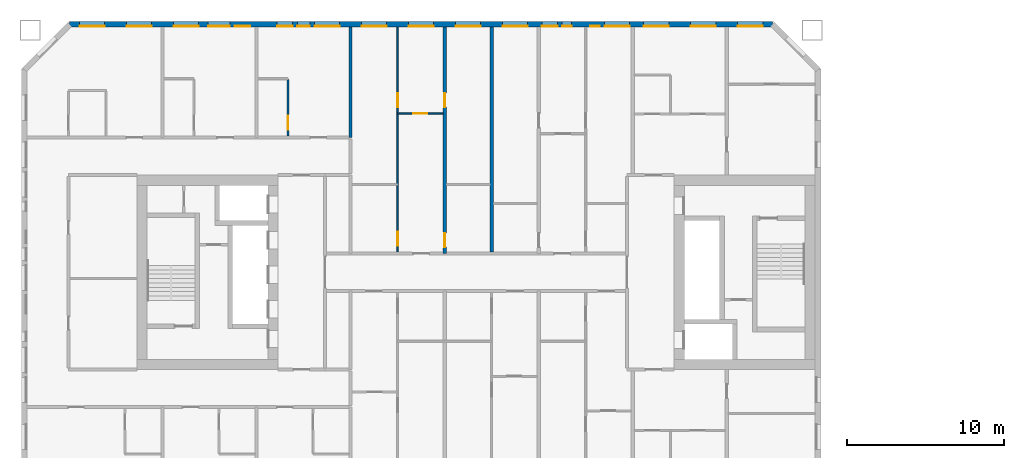
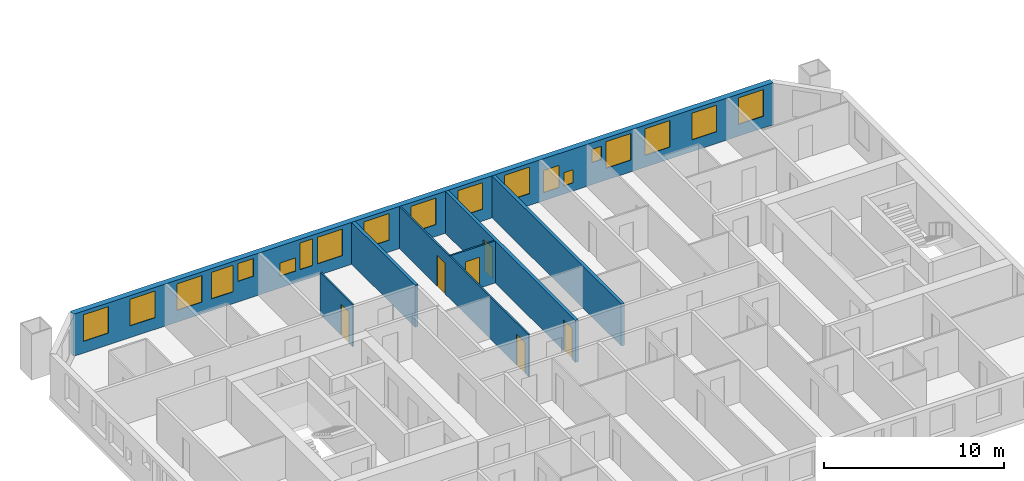
# One storey, part 6 of 17: 19 windows, 7 walls, 6 doors, 25 openings.
"""IFC4 building model written with IfcOpenShell, lengths in metres."""

from ifc_helpers import new_model, si_unit, direction, frame, frame_2d, origin, place, context, subcontext, project, spatial, rectangle, extrude, material, layer, layer_set, type_object, element, fill, save


model = new_model("IFC4")

# Units and contexts
model_context = context("Model", 3, precision=1e-05, world=origin(), true_north=direction((0.0, 1.0)))
body_context = subcontext(model_context, "Body", "Model", "MODEL_VIEW")
ifc_project = project(units=[si_unit("LENGTHUNIT", "METRE"), si_unit("AREAUNIT", "SQUARE_METRE"), si_unit("VOLUMEUNIT", "CUBIC_METRE"), si_unit("PLANEANGLEUNIT", "RADIAN"), si_unit("MASSUNIT", "GRAM", prefix="KILO")], contexts=[model_context])

# Site, building, storey
site_placement = place(None, origin())
site = spatial("IfcSite", under=ifc_project, at=site_placement, CompositionType="ELEMENT")
building_placement = place(site_placement, origin())
building = spatial("IfcBuilding", under=site, at=building_placement, Name="Tuart Gate Housing", CompositionType="ELEMENT")
storey_placement = place(building_placement, frame((0.0, 0.0, 105.699951171875)))
storey = spatial("IfcBuildingStorey", under=building, at=storey_placement, Name="L29", CompositionType="ELEMENT", Elevation=105.699951171875)

# Wall, openings, windows
ifc_material_1 = material(Name="Brick", Category="masonry")
ifc_layer_1 = layer(ifc_material_1, 0.360107421875)
ifc_layer_set_1 = layer_set([ifc_layer_1], Name="Brick pier and spandrel wall 360")
wall_type_1 = type_object("IfcWallType", Name="Brick pier and spandrel wall 360", PredefinedType="STANDARD", material=ifc_layer_set_1)
wall_1_placement = place(storey_placement, frame((72.92529296875, 85.820068359375, 0.0), z_axis=(0.0, 0.0, 1.0), x_axis=(-1.0, 0.0, 0.0)))
wall_1 = element("IfcWall", 1, at=wall_1_placement, inside=storey, type_object=wall_type_1, Name="External wall A-N L29", PredefinedType="STANDARD", context=body_context, shape_type="SweptSolid", body=[
    extrude(rectangle(XDim=44.850830078125, YDim=0.360107421875, at=frame_2d((22.42529296875, 0.0))), origin(), (0.0, 0.0, 1.0), 2.85009765625),
])
opening_1_placement = place(wall_1_placement, frame((0.62548828125, 0.0, 0.800048828125)))
opening_1 = element("IfcOpeningElement", 2, at=opening_1_placement, cuts=wall_1, Name="Opening W1", PredefinedType="OPENING", context=body_context, shape_type="SweptSolid", body=[
    extrude(rectangle(XDim=1.60009765625, YDim=1.800048828125, at=frame_2d((0.800048828125, 0.89990234375))), frame((0.0, 0.18994140625, 0.0), z_axis=(0.0, -1.0, 0.0), x_axis=(1.0, 0.0, 0.0)), (0.0, 0.0, 1.0), 0.380126953125),
])
opening_2_placement = place(wall_1_placement, frame((3.62548828125, 0.0, 0.800048828125)))
opening_2 = element("IfcOpeningElement", 3, at=opening_2_placement, cuts=wall_1, Name="Opening W1", PredefinedType="OPENING", context=body_context, shape_type="SweptSolid", body=[
    extrude(rectangle(XDim=1.60009765625, YDim=1.800048828125, at=frame_2d((0.800048828125, 0.89990234375))), frame((0.0, 0.18994140625, 0.0), z_axis=(0.0, -1.0, 0.0), x_axis=(1.0, 0.0, 0.0)), (0.0, 0.0, 1.0), 0.380126953125),
])
opening_3_placement = place(wall_1_placement, frame((6.62548828125, 0.0, 0.800048828125)))
opening_3 = element("IfcOpeningElement", 4, at=opening_3_placement, cuts=wall_1, Name="Opening W1", PredefinedType="OPENING", context=body_context, shape_type="SweptSolid", body=[
    extrude(rectangle(XDim=1.60009765625, YDim=1.800048828125, at=frame_2d((0.800048828125, 0.89990234375))), frame((0.0, 0.18994140625, 0.0), z_axis=(0.0, -1.0, 0.0), x_axis=(1.0, 0.0, 0.0)), (0.0, 0.0, 1.0), 0.380126953125),
])
opening_4_placement = place(wall_1_placement, frame((9.12548828125, 0.0, 0.800048828125)))
opening_4 = element("IfcOpeningElement", 5, at=opening_4_placement, cuts=wall_1, Name="Opening W1", PredefinedType="OPENING", context=body_context, shape_type="SweptSolid", body=[
    extrude(rectangle(XDim=1.60009765625, YDim=1.800048828125, at=frame_2d((0.800048828125, 0.89990234375))), frame((0.0, 0.18994140625, 0.0), z_axis=(0.0, -1.0, 0.0), x_axis=(1.0, 0.0, 0.0)), (0.0, 0.0, 1.0), 0.380126953125),
])
opening_5_placement = place(wall_1_placement, frame((12.825439453125, 0.0, 0.550048828125)))
opening_5 = element("IfcOpeningElement", 6, at=opening_5_placement, cuts=wall_1, Name="Opening W1W", PredefinedType="OPENING", context=body_context, shape_type="SweptSolid", body=[
    extrude(rectangle(XDim=0.60009765625, YDim=0.89990234375, at=frame_2d((0.300048828125, 0.449951171875))), frame((0.0, 0.18994140625, 0.0), z_axis=(0.0, -1.0, 0.0), x_axis=(1.0, 0.0, 0.0)), (0.0, 0.0, 1.0), 0.380126953125),
])
opening_6_placement = place(wall_1_placement, frame((15.62548828125, 0.0, 0.800048828125)))
opening_6 = element("IfcOpeningElement", 7, at=opening_6_placement, cuts=wall_1, Name="Opening W1", PredefinedType="OPENING", context=body_context, shape_type="SweptSolid", body=[
    extrude(rectangle(XDim=1.60009765625, YDim=1.800048828125, at=frame_2d((0.800048828125, 0.89990234375))), frame((0.0, 0.18994140625, 0.0), z_axis=(0.0, -1.0, 0.0), x_axis=(1.0, 0.0, 0.0)), (0.0, 0.0, 1.0), 0.380126953125),
])
opening_7_placement = place(wall_1_placement, frame((18.62548828125, 0.0, 0.800048828125)))
opening_7 = element("IfcOpeningElement", 8, at=opening_7_placement, cuts=wall_1, Name="Opening W1", PredefinedType="OPENING", context=body_context, shape_type="SweptSolid", body=[
    extrude(rectangle(XDim=1.60009765625, YDim=1.800048828125, at=frame_2d((0.800048828125, 0.89990234375))), frame((0.0, 0.18994140625, 0.0), z_axis=(0.0, -1.0, 0.0), x_axis=(1.0, 0.0, 0.0)), (0.0, 0.0, 1.0), 0.380126953125),
])
opening_8_placement = place(wall_1_placement, frame((21.62548828125, 0.0, 0.800048828125)))
opening_8 = element("IfcOpeningElement", 9, at=opening_8_placement, cuts=wall_1, Name="Opening W1", PredefinedType="OPENING", context=body_context, shape_type="SweptSolid", body=[
    extrude(rectangle(XDim=1.60009765625, YDim=1.800048828125, at=frame_2d((0.800048828125, 0.89990234375))), frame((0.0, 0.18994140625, 0.0), z_axis=(0.0, -1.0, 0.0), x_axis=(1.0, 0.0, 0.0)), (0.0, 0.0, 1.0), 0.380126953125),
])
opening_9_placement = place(wall_1_placement, frame((24.62548828125, 0.0, 0.800048828125)))
opening_9 = element("IfcOpeningElement", 10, at=opening_9_placement, cuts=wall_1, Name="Opening W1", PredefinedType="OPENING", context=body_context, shape_type="SweptSolid", body=[
    extrude(rectangle(XDim=1.60009765625, YDim=1.800048828125, at=frame_2d((0.800048828125, 0.89990234375))), frame((0.0, 0.18994140625, 0.0), z_axis=(0.0, -1.0, 0.0), x_axis=(1.0, 0.0, 0.0)), (0.0, 0.0, 1.0), 0.380126953125),
])
opening_10_placement = place(wall_1_placement, frame((27.62548828125, 0.0, 0.800048828125)))
opening_10 = element("IfcOpeningElement", 11, at=opening_10_placement, cuts=wall_1, Name="Opening W1", PredefinedType="OPENING", context=body_context, shape_type="SweptSolid", body=[
    extrude(rectangle(XDim=1.60009765625, YDim=1.800048828125, at=frame_2d((0.800048828125, 0.89990234375))), frame((0.0, 0.18994140625, 0.0), z_axis=(0.0, -1.0, 0.0), x_axis=(1.0, 0.0, 0.0)), (0.0, 0.0, 1.0), 0.380126953125),
])
opening_11_placement = place(wall_1_placement, frame((29.525390625, 0.0, 0.800048828125)))
opening_11 = element("IfcOpeningElement", 12, at=opening_11_placement, cuts=wall_1, Name="Opening W1D", PredefinedType="OPENING", context=body_context, shape_type="SweptSolid", body=[
    extrude(rectangle(XDim=0.800048828125, YDim=1.800048828125, at=frame_2d((0.39990234375, 0.89990234375))), frame((0.0, 0.18994140625, 0.0), z_axis=(0.0, -1.0, 0.0), x_axis=(1.0, 0.0, 0.0)), (0.0, 0.0, 1.0), 0.380126953125),
])
opening_12_placement = place(wall_1_placement, frame((33.325439453125, 0.0, 1.39990234375)))
opening_12 = element("IfcOpeningElement", 13, at=opening_12_placement, cuts=wall_1, Name="Opening W1O", PredefinedType="OPENING", context=body_context, shape_type="SweptSolid", body=[
    extrude(rectangle(XDim=1.0, YDim=1.199951171875, at=frame_2d((0.5, 0.60009765625))), frame((0.0, 0.18994140625, 0.0), z_axis=(0.0, -1.0, 0.0), x_axis=(1.0, 0.0, 0.0)), (0.0, 0.0, 1.0), 0.380126953125),
])
opening_13_placement = place(wall_1_placement, frame((36.62548828125, 0.0, 0.800048828125)))
opening_13 = element("IfcOpeningElement", 14, at=opening_13_placement, cuts=wall_1, Name="Opening W1", PredefinedType="OPENING", context=body_context, shape_type="SweptSolid", body=[
    extrude(rectangle(XDim=1.60009765625, YDim=1.800048828125, at=frame_2d((0.800048828125, 0.89990234375))), frame((0.0, 0.18994140625, 0.0), z_axis=(0.0, -1.0, 0.0), x_axis=(1.0, 0.0, 0.0)), (0.0, 0.0, 1.0), 0.380126953125),
])
opening_14_placement = place(wall_1_placement, frame((39.62548828125, 0.0, 0.800048828125)))
opening_14 = element("IfcOpeningElement", 15, at=opening_14_placement, cuts=wall_1, Name="Opening W1", PredefinedType="OPENING", context=body_context, shape_type="SweptSolid", body=[
    extrude(rectangle(XDim=1.60009765625, YDim=1.800048828125, at=frame_2d((0.800048828125, 0.89990234375))), frame((0.0, 0.18994140625, 0.0), z_axis=(0.0, -1.0, 0.0), x_axis=(1.0, 0.0, 0.0)), (0.0, 0.0, 1.0), 0.380126953125),
])
opening_15_placement = place(wall_1_placement, frame((42.62548828125, 0.0, 0.800048828125)))
opening_15 = element("IfcOpeningElement", 16, at=opening_15_placement, cuts=wall_1, Name="Opening W1", PredefinedType="OPENING", context=body_context, shape_type="SweptSolid", body=[
    extrude(rectangle(XDim=1.60009765625, YDim=1.800048828125, at=frame_2d((0.800048828125, 0.89990234375))), frame((0.0, 0.18994140625, 0.0), z_axis=(0.0, -1.0, 0.0), x_axis=(1.0, 0.0, 0.0)), (0.0, 0.0, 1.0), 0.380126953125),
])
opening_16_placement = place(wall_1_placement, frame((11.025390625, 0.0, 1.5)))
opening_16 = element("IfcOpeningElement", 17, at=opening_16_placement, cuts=wall_1, Name="Opening W1W", PredefinedType="OPENING", context=body_context, shape_type="SweptSolid", body=[
    extrude(rectangle(XDim=0.60009765625, YDim=0.89990234375, at=frame_2d((0.300048828125, 0.449951171875))), frame((0.0, 0.18994140625, 0.0), z_axis=(0.0, -1.0, 0.0), x_axis=(1.0, 0.0, 0.0)), (0.0, 0.0, 1.0), 0.380126953125),
])
opening_17_placement = place(wall_1_placement, frame((13.725341796875, 0.0, 0.550048828125)))
opening_17 = element("IfcOpeningElement", 18, at=opening_17_placement, cuts=wall_1, Name="Opening W1I", PredefinedType="OPENING", context=body_context, shape_type="SweptSolid", body=[
    extrude(rectangle(XDim=1.0, YDim=1.5, at=frame_2d((0.5, 0.75))), frame((0.0, 0.18994140625, 0.0), z_axis=(0.0, -1.0, 0.0), x_axis=(1.0, 0.0, 0.0)), (0.0, 0.0, 1.0), 0.380126953125),
])
opening_18_placement = place(wall_1_placement, frame((30.62548828125, 0.0, 0.800048828125)))
opening_18 = element("IfcOpeningElement", 19, at=opening_18_placement, cuts=wall_1, Name="Opening W1U", PredefinedType="OPENING", context=body_context, shape_type="SweptSolid", body=[
    extrude(rectangle(XDim=1.0, YDim=0.89990234375, at=frame_2d((0.5, 0.449951171875))), frame((0.0, 0.18994140625, 0.0), z_axis=(0.0, -1.0, 0.0), x_axis=(1.0, 0.0, 0.0)), (0.0, 0.0, 1.0), 0.380126953125),
])
opening_19_placement = place(wall_1_placement, frame((34.62548828125, 0.0, 0.800048828125)))
opening_19 = element("IfcOpeningElement", 20, at=opening_19_placement, cuts=wall_1, Name="Opening W1A", PredefinedType="OPENING", context=body_context, shape_type="SweptSolid", body=[
    extrude(rectangle(XDim=1.39990234375, YDim=1.800048828125, at=frame_2d((0.699951171875, 0.89990234375))), frame((0.0, 0.18994140625, 0.0), z_axis=(0.0, -1.0, 0.0), x_axis=(1.0, 0.0, 0.0)), (0.0, 0.0, 1.0), 0.380126953125),
])
ifc_material_2 = material(Name="Aluminium frame with clear glass", Category="aluminium")
window_type_1 = type_object("IfcWindowType", Name="Punched window 1000 x 1200", PartitioningType="SINGLE_PANEL", PredefinedType="WINDOW", material=ifc_material_2)
window_1_placement = place(opening_12_placement, origin())
window_1 = element("IfcWindow", 21, at=window_1_placement, inside=storey, type_object=window_type_1, Name="Window W1O", OverallHeight=1.199951171875, OverallWidth=1.0, PartitioningType="SINGLE_PANEL", PredefinedType="WINDOW", context=body_context, shape_type="SweptSolid", body=[
    extrude(rectangle(XDim=1.0, YDim=1.199951171875, at=frame_2d((0.5, 0.60009765625))), frame((0.0, 0.150146484375, 0.0), z_axis=(0.0, -1.0, 0.0), x_axis=(1.0, 0.0, 0.0)), (0.0, 0.0, 1.0), 0.06005859375),
])
fill(opening_12, window_1)
ifc_material_3 = material(Name="Aluminium frame with clear glass", Category="aluminium")
window_type_2 = type_object("IfcWindowType", Name="Punched window 1000 x 1500", PartitioningType="SINGLE_PANEL", PredefinedType="WINDOW", material=ifc_material_3)
window_2_placement = place(opening_17_placement, origin())
window_2 = element("IfcWindow", 22, at=window_2_placement, inside=storey, type_object=window_type_2, Name="Window W1I", OverallHeight=1.5, OverallWidth=1.0, PartitioningType="SINGLE_PANEL", PredefinedType="WINDOW", context=body_context, shape_type="SweptSolid", body=[
    extrude(rectangle(XDim=1.0, YDim=1.5, at=frame_2d((0.5, 0.75))), frame((0.0, 0.150146484375, 0.0), z_axis=(0.0, -1.0, 0.0), x_axis=(1.0, 0.0, 0.0)), (0.0, 0.0, 1.0), 0.06005859375),
])
fill(opening_17, window_2)
ifc_material_4 = material(Name="Aluminium frame with clear glass", Category="aluminium")
window_type_3 = type_object("IfcWindowType", Name="Punched window 1000 x 900", PartitioningType="SINGLE_PANEL", PredefinedType="WINDOW", material=ifc_material_4)
window_3_placement = place(opening_18_placement, origin())
window_3 = element("IfcWindow", 23, at=window_3_placement, inside=storey, type_object=window_type_3, Name="Window W1U", OverallHeight=0.89990234375, OverallWidth=1.0, PartitioningType="SINGLE_PANEL", PredefinedType="WINDOW", context=body_context, shape_type="SweptSolid", body=[
    extrude(rectangle(XDim=1.0, YDim=0.89990234375, at=frame_2d((0.5, 0.449951171875))), frame((0.0, 0.150146484375, 0.0), z_axis=(0.0, -1.0, 0.0), x_axis=(1.0, 0.0, 0.0)), (0.0, 0.0, 1.0), 0.06005859375),
])
fill(opening_18, window_3)
ifc_material_5 = material(Name="Aluminium frame with clear glass", Category="aluminium")
window_type_4 = type_object("IfcWindowType", Name="Punched window 1400 x 1800", PartitioningType="SINGLE_PANEL", PredefinedType="WINDOW", material=ifc_material_5)
window_4_placement = place(opening_19_placement, origin())
window_4 = element("IfcWindow", 24, at=window_4_placement, inside=storey, type_object=window_type_4, Name="Window W1A", OverallHeight=1.800048828125, OverallWidth=1.39990234375, PartitioningType="SINGLE_PANEL", PredefinedType="WINDOW", context=body_context, shape_type="SweptSolid", body=[
    extrude(rectangle(XDim=1.39990234375, YDim=1.800048828125, at=frame_2d((0.699951171875, 0.89990234375))), frame((0.0, 0.150146484375, 0.0), z_axis=(0.0, -1.0, 0.0), x_axis=(1.0, 0.0, 0.0)), (0.0, 0.0, 1.0), 0.06005859375),
])
fill(opening_19, window_4)
ifc_material_6 = material(Name="Aluminium frame with clear glass", Category="aluminium")
window_type_5 = type_object("IfcWindowType", Name="Punched window 1600 x 1800", PartitioningType="SINGLE_PANEL", PredefinedType="WINDOW", material=ifc_material_6)
window_5_placement = place(opening_1_placement, origin())
window_5 = element("IfcWindow", 25, at=window_5_placement, inside=storey, type_object=window_type_5, Name="Window W1", OverallHeight=1.800048828125, OverallWidth=1.60009765625, PartitioningType="SINGLE_PANEL", PredefinedType="WINDOW", context=body_context, shape_type="SweptSolid", body=[
    extrude(rectangle(XDim=1.60009765625, YDim=1.800048828125, at=frame_2d((0.800048828125, 0.89990234375))), frame((0.0, 0.150146484375, 0.0), z_axis=(0.0, -1.0, 0.0), x_axis=(1.0, 0.0, 0.0)), (0.0, 0.0, 1.0), 0.06005859375),
])
fill(opening_1, window_5)
window_6_placement = place(opening_2_placement, origin())
window_6 = element("IfcWindow", 26, at=window_6_placement, inside=storey, type_object=window_type_5, Name="Window W1", OverallHeight=1.800048828125, OverallWidth=1.60009765625, PartitioningType="SINGLE_PANEL", PredefinedType="WINDOW", context=body_context, shape_type="SweptSolid", body=[
    extrude(rectangle(XDim=1.60009765625, YDim=1.800048828125, at=frame_2d((0.800048828125, 0.89990234375))), frame((0.0, 0.150146484375, 0.0), z_axis=(0.0, -1.0, 0.0), x_axis=(1.0, 0.0, 0.0)), (0.0, 0.0, 1.0), 0.06005859375),
])
fill(opening_2, window_6)
window_7_placement = place(opening_3_placement, origin())
window_7 = element("IfcWindow", 27, at=window_7_placement, inside=storey, type_object=window_type_5, Name="Window W1", OverallHeight=1.800048828125, OverallWidth=1.60009765625, PartitioningType="SINGLE_PANEL", PredefinedType="WINDOW", context=body_context, shape_type="SweptSolid", body=[
    extrude(rectangle(XDim=1.60009765625, YDim=1.800048828125, at=frame_2d((0.800048828125, 0.89990234375))), frame((0.0, 0.150146484375, 0.0), z_axis=(0.0, -1.0, 0.0), x_axis=(1.0, 0.0, 0.0)), (0.0, 0.0, 1.0), 0.06005859375),
])
fill(opening_3, window_7)
window_8_placement = place(opening_4_placement, origin())
window_8 = element("IfcWindow", 28, at=window_8_placement, inside=storey, type_object=window_type_5, Name="Window W1", OverallHeight=1.800048828125, OverallWidth=1.60009765625, PartitioningType="SINGLE_PANEL", PredefinedType="WINDOW", context=body_context, shape_type="SweptSolid", body=[
    extrude(rectangle(XDim=1.60009765625, YDim=1.800048828125, at=frame_2d((0.800048828125, 0.89990234375))), frame((0.0, 0.150146484375, 0.0), z_axis=(0.0, -1.0, 0.0), x_axis=(1.0, 0.0, 0.0)), (0.0, 0.0, 1.0), 0.06005859375),
])
fill(opening_4, window_8)
window_9_placement = place(opening_6_placement, origin())
window_9 = element("IfcWindow", 29, at=window_9_placement, inside=storey, type_object=window_type_5, Name="Window W1", OverallHeight=1.800048828125, OverallWidth=1.60009765625, PartitioningType="SINGLE_PANEL", PredefinedType="WINDOW", context=body_context, shape_type="SweptSolid", body=[
    extrude(rectangle(XDim=1.60009765625, YDim=1.800048828125, at=frame_2d((0.800048828125, 0.89990234375))), frame((0.0, 0.150146484375, 0.0), z_axis=(0.0, -1.0, 0.0), x_axis=(1.0, 0.0, 0.0)), (0.0, 0.0, 1.0), 0.06005859375),
])
fill(opening_6, window_9)
window_10_placement = place(opening_7_placement, origin())
window_10 = element("IfcWindow", 30, at=window_10_placement, inside=storey, type_object=window_type_5, Name="Window W1", OverallHeight=1.800048828125, OverallWidth=1.60009765625, PartitioningType="SINGLE_PANEL", PredefinedType="WINDOW", context=body_context, shape_type="SweptSolid", body=[
    extrude(rectangle(XDim=1.60009765625, YDim=1.800048828125, at=frame_2d((0.800048828125, 0.89990234375))), frame((0.0, 0.150146484375, 0.0), z_axis=(0.0, -1.0, 0.0), x_axis=(1.0, 0.0, 0.0)), (0.0, 0.0, 1.0), 0.06005859375),
])
fill(opening_7, window_10)
window_11_placement = place(opening_8_placement, origin())
window_11 = element("IfcWindow", 31, at=window_11_placement, inside=storey, type_object=window_type_5, Name="Window W1", OverallHeight=1.800048828125, OverallWidth=1.60009765625, PartitioningType="SINGLE_PANEL", PredefinedType="WINDOW", context=body_context, shape_type="SweptSolid", body=[
    extrude(rectangle(XDim=1.60009765625, YDim=1.800048828125, at=frame_2d((0.800048828125, 0.89990234375))), frame((0.0, 0.150146484375, 0.0), z_axis=(0.0, -1.0, 0.0), x_axis=(1.0, 0.0, 0.0)), (0.0, 0.0, 1.0), 0.06005859375),
])
fill(opening_8, window_11)
window_12_placement = place(opening_9_placement, origin())
window_12 = element("IfcWindow", 32, at=window_12_placement, inside=storey, type_object=window_type_5, Name="Window W1", OverallHeight=1.800048828125, OverallWidth=1.60009765625, PartitioningType="SINGLE_PANEL", PredefinedType="WINDOW", context=body_context, shape_type="SweptSolid", body=[
    extrude(rectangle(XDim=1.60009765625, YDim=1.800048828125, at=frame_2d((0.800048828125, 0.89990234375))), frame((0.0, 0.150146484375, 0.0), z_axis=(0.0, -1.0, 0.0), x_axis=(1.0, 0.0, 0.0)), (0.0, 0.0, 1.0), 0.06005859375),
])
fill(opening_9, window_12)
window_13_placement = place(opening_10_placement, origin())
window_13 = element("IfcWindow", 33, at=window_13_placement, inside=storey, type_object=window_type_5, Name="Window W1", OverallHeight=1.800048828125, OverallWidth=1.60009765625, PartitioningType="SINGLE_PANEL", PredefinedType="WINDOW", context=body_context, shape_type="SweptSolid", body=[
    extrude(rectangle(XDim=1.60009765625, YDim=1.800048828125, at=frame_2d((0.800048828125, 0.89990234375))), frame((0.0, 0.150146484375, 0.0), z_axis=(0.0, -1.0, 0.0), x_axis=(1.0, 0.0, 0.0)), (0.0, 0.0, 1.0), 0.06005859375),
])
fill(opening_10, window_13)
window_14_placement = place(opening_13_placement, origin())
window_14 = element("IfcWindow", 34, at=window_14_placement, inside=storey, type_object=window_type_5, Name="Window W1", OverallHeight=1.800048828125, OverallWidth=1.60009765625, PartitioningType="SINGLE_PANEL", PredefinedType="WINDOW", context=body_context, shape_type="SweptSolid", body=[
    extrude(rectangle(XDim=1.60009765625, YDim=1.800048828125, at=frame_2d((0.800048828125, 0.89990234375))), frame((0.0, 0.150146484375, 0.0), z_axis=(0.0, -1.0, 0.0), x_axis=(1.0, 0.0, 0.0)), (0.0, 0.0, 1.0), 0.06005859375),
])
fill(opening_13, window_14)
window_15_placement = place(opening_14_placement, origin())
window_15 = element("IfcWindow", 35, at=window_15_placement, inside=storey, type_object=window_type_5, Name="Window W1", OverallHeight=1.800048828125, OverallWidth=1.60009765625, PartitioningType="SINGLE_PANEL", PredefinedType="WINDOW", context=body_context, shape_type="SweptSolid", body=[
    extrude(rectangle(XDim=1.60009765625, YDim=1.800048828125, at=frame_2d((0.800048828125, 0.89990234375))), frame((0.0, 0.150146484375, 0.0), z_axis=(0.0, -1.0, 0.0), x_axis=(1.0, 0.0, 0.0)), (0.0, 0.0, 1.0), 0.06005859375),
])
fill(opening_14, window_15)
window_16_placement = place(opening_15_placement, origin())
window_16 = element("IfcWindow", 36, at=window_16_placement, inside=storey, type_object=window_type_5, Name="Window W1", OverallHeight=1.800048828125, OverallWidth=1.60009765625, PartitioningType="SINGLE_PANEL", PredefinedType="WINDOW", context=body_context, shape_type="SweptSolid", body=[
    extrude(rectangle(XDim=1.60009765625, YDim=1.800048828125, at=frame_2d((0.800048828125, 0.89990234375))), frame((0.0, 0.150146484375, 0.0), z_axis=(0.0, -1.0, 0.0), x_axis=(1.0, 0.0, 0.0)), (0.0, 0.0, 1.0), 0.06005859375),
])
fill(opening_15, window_16)
ifc_material_7 = material(Name="Aluminium frame with clear glass", Category="aluminium")
window_type_6 = type_object("IfcWindowType", Name="Punched window 600 x 900", PartitioningType="SINGLE_PANEL", PredefinedType="WINDOW", material=ifc_material_7)
window_17_placement = place(opening_5_placement, origin())
window_17 = element("IfcWindow", 37, at=window_17_placement, inside=storey, type_object=window_type_6, Name="Window W1W", OverallHeight=0.89990234375, OverallWidth=0.60009765625, PartitioningType="SINGLE_PANEL", PredefinedType="WINDOW", context=body_context, shape_type="SweptSolid", body=[
    extrude(rectangle(XDim=0.60009765625, YDim=0.89990234375, at=frame_2d((0.300048828125, 0.449951171875))), frame((0.0, 0.150146484375, 0.0), z_axis=(0.0, -1.0, 0.0), x_axis=(1.0, 0.0, 0.0)), (0.0, 0.0, 1.0), 0.06005859375),
])
fill(opening_5, window_17)
window_18_placement = place(opening_16_placement, origin())
window_18 = element("IfcWindow", 38, at=window_18_placement, inside=storey, type_object=window_type_6, Name="Window W1W", OverallHeight=0.89990234375, OverallWidth=0.60009765625, PartitioningType="SINGLE_PANEL", PredefinedType="WINDOW", context=body_context, shape_type="SweptSolid", body=[
    extrude(rectangle(XDim=0.60009765625, YDim=0.89990234375, at=frame_2d((0.300048828125, 0.449951171875))), frame((0.0, 0.150146484375, 0.0), z_axis=(0.0, -1.0, 0.0), x_axis=(1.0, 0.0, 0.0)), (0.0, 0.0, 1.0), 0.06005859375),
])
fill(opening_16, window_18)
ifc_material_8 = material(Name="Aluminium frame with clear glass", Category="aluminium")
window_type_7 = type_object("IfcWindowType", Name="Punched window 800 x 1800", PartitioningType="SINGLE_PANEL", PredefinedType="WINDOW", material=ifc_material_8)
window_19_placement = place(opening_11_placement, origin())
window_19 = element("IfcWindow", 39, at=window_19_placement, inside=storey, type_object=window_type_7, Name="Window W1D", OverallHeight=1.800048828125, OverallWidth=0.800048828125, PartitioningType="SINGLE_PANEL", PredefinedType="WINDOW", context=body_context, shape_type="SweptSolid", body=[
    extrude(rectangle(XDim=0.800048828125, YDim=1.800048828125, at=frame_2d((0.39990234375, 0.89990234375))), frame((0.0, 0.150146484375, 0.0), z_axis=(0.0, -1.0, 0.0), x_axis=(1.0, 0.0, 0.0)), (0.0, 0.0, 1.0), 0.06005859375),
])
fill(opening_11, window_19)

# Wall, opening, door
ifc_material_9 = material(Name="Gypsum board on steel studs", Category="steel")
ifc_layer_2 = layer(ifc_material_9, 0.10009765625)
ifc_layer_set_2 = layer_set([ifc_layer_2], Name="Partition 100")
wall_type_2 = type_object("IfcWallType", Name="Partition 100", PredefinedType="PARTITIONING", material=ifc_layer_set_2)
wall_2_placement = place(storey_placement, frame((49.0, 80.139892578125, 0.0), z_axis=(0.0, 0.0, 1.0), x_axis=(1.0, 0.0, 0.0)))
wall_2 = element("IfcWall", 40, at=wall_2_placement, inside=storey, type_object=wall_type_2, Name="Partition 100", PredefinedType="PARTITIONING", context=body_context, shape_type="SweptSolid", body=[
    extrude(rectangle(XDim=2.89990234375, YDim=0.10009765625, at=frame_2d((1.449951171875, 0.0))), origin(), (0.0, 0.0, 1.0), 2.85009765625),
])
opening_20_placement = place(wall_2_placement, frame((1.0, 0.0, 0.0)))
opening_20 = element("IfcOpeningElement", 41, at=opening_20_placement, cuts=wall_2, Name="Opening D1182", PredefinedType="OPENING", context=body_context, shape_type="SweptSolid", body=[
    extrude(rectangle(XDim=0.89990234375, YDim=2.10009765625, at=frame_2d((0.449951171875, 1.050048828125))), frame((0.0, 0.06005859375, 0.0), z_axis=(0.0, -1.0, 0.0), x_axis=(1.0, 0.0, 0.0)), (0.0, 0.0, 1.0), 0.1201171875),
])
ifc_material_10 = material(Name="Timber door leaf in steel frame", Category="steel")
door_type_1 = type_object("IfcDoorType", Name="Internal door 900 RH", OperationType="SINGLE_SWING_RIGHT", PredefinedType="DOOR", material=ifc_material_10)
door_1_placement = place(opening_20_placement, frame((0.89990234375, 0.0, 0.0), z_axis=(0.0, 0.0, 1.0), x_axis=(-1.0, 0.0, 0.0)))
door_1 = element("IfcDoor", 42, at=door_1_placement, inside=storey, type_object=door_type_1, Name="Internal door", OperationType="SINGLE_SWING_RIGHT", OverallHeight=2.10009765625, OverallWidth=0.89990234375, PredefinedType="DOOR", context=body_context, shape_type="SweptSolid", body=[
    extrude(rectangle(XDim=0.89990234375, YDim=2.10009765625, at=frame_2d((0.449951171875, 1.050048828125))), frame((0.0, 0.025146484375, 0.0), z_axis=(0.0, -1.0, 0.0), x_axis=(1.0, 0.0, 0.0)), (0.0, 0.0, 1.0), 0.050048828125),
])
fill(opening_20, door_1)

wall_3_placement = place(storey_placement, frame((42.0, 78.699951171875, 0.0), z_axis=(0.0, 0.0, 1.0), x_axis=(0.0, 1.0, 0.0)))
wall_3 = element("IfcWall", 43, at=wall_3_placement, inside=storey, type_object=wall_type_2, Name="Partition 100", PredefinedType="PARTITIONING", context=body_context, shape_type="SweptSolid", body=[
    extrude(rectangle(XDim=3.60009765625, YDim=0.10009765625, at=frame_2d((1.800048828125, 0.0))), origin(), (0.0, 0.0, 1.0), 2.85009765625),
])
opening_21_placement = place(wall_3_placement, frame((0.39990234375, 0.0, 0.0)))
opening_21 = element("IfcOpeningElement", 44, at=opening_21_placement, cuts=wall_3, Name="Opening D1181", PredefinedType="OPENING", context=body_context, shape_type="SweptSolid", body=[
    extrude(rectangle(XDim=0.89990234375, YDim=2.10009765625, at=frame_2d((0.449951171875, 1.050048828125))), frame((0.0, 0.06005859375, 0.0), z_axis=(0.0, -1.0, 0.0), x_axis=(1.0, 0.0, 0.0)), (0.0, 0.0, 1.0), 0.1201171875),
])
ifc_material_11 = material(Name="Timber door leaf in steel frame", Category="steel")
door_type_2 = type_object("IfcDoorType", Name="Bathroom door 900", OperationType="SINGLE_SWING_LEFT", PredefinedType="DOOR", material=ifc_material_11)
door_2_placement = place(opening_21_placement, origin())
door_2 = element("IfcDoor", 45, at=door_2_placement, inside=storey, type_object=door_type_2, Name="Bathroom door", OperationType="SINGLE_SWING_LEFT", OverallHeight=2.10009765625, OverallWidth=0.89990234375, PredefinedType="DOOR", context=body_context, shape_type="SweptSolid", body=[
    extrude(rectangle(XDim=0.89990234375, YDim=2.10009765625, at=frame_2d((0.449951171875, 1.050048828125))), frame((0.0, 0.02490234375, 0.0), z_axis=(0.0, -1.0, 0.0), x_axis=(1.0, 0.0, 0.0)), (0.0, 0.0, 1.0), 0.050048828125),
])
fill(opening_21, door_2)

# Wall, openings, doors
wall_4_placement = place(storey_placement, frame((49.0, 71.300048828125, 0.0), z_axis=(0.0, 0.0, 1.0), x_axis=(0.0, 1.0, 0.0)))
wall_4 = element("IfcWall", 46, at=wall_4_placement, inside=storey, type_object=wall_type_2, Name="Partition 100", PredefinedType="PARTITIONING", context=body_context, shape_type="SweptSolid", body=[
    extrude(rectangle(XDim=14.33984375, YDim=0.10009765625, at=frame_2d((7.169921875, 0.0))), origin(), (0.0, 0.0, 1.0), 2.85009765625),
])
opening_22_placement = place(wall_4_placement, frame((9.239990234375, 0.0, 0.0)))
opening_22 = element("IfcOpeningElement", 47, at=opening_22_placement, cuts=wall_4, Name="Opening D1191", PredefinedType="OPENING", context=body_context, shape_type="SweptSolid", body=[
    extrude(rectangle(XDim=0.89990234375, YDim=2.10009765625, at=frame_2d((0.449951171875, 1.050048828125))), frame((0.0, 0.06005859375, 0.0), z_axis=(0.0, -1.0, 0.0), x_axis=(1.0, 0.0, 0.0)), (0.0, 0.0, 1.0), 0.1201171875),
])
opening_23_placement = place(wall_4_placement, frame((0.39990234375, 0.0, 0.0)))
opening_23 = element("IfcOpeningElement", 48, at=opening_23_placement, cuts=wall_4, Name="Opening D1190", PredefinedType="OPENING", context=body_context, shape_type="SweptSolid", body=[
    extrude(rectangle(XDim=0.89990234375, YDim=2.10009765625, at=frame_2d((0.449951171875, 1.050048828125))), frame((0.0, 0.06005859375, 0.0), z_axis=(0.0, -1.0, 0.0), x_axis=(1.0, 0.0, 0.0)), (0.0, 0.0, 1.0), 0.1201171875),
])
door_3_placement = place(opening_23_placement, origin())
door_3 = element("IfcDoor", 49, at=door_3_placement, inside=storey, type_object=door_type_2, Name="Bathroom door", OperationType="SINGLE_SWING_LEFT", OverallHeight=2.10009765625, OverallWidth=0.89990234375, PredefinedType="DOOR", context=body_context, shape_type="SweptSolid", body=[
    extrude(rectangle(XDim=0.89990234375, YDim=2.10009765625, at=frame_2d((0.449951171875, 1.050048828125))), frame((0.0, 0.02490234375, 0.0), z_axis=(0.0, -1.0, 0.0), x_axis=(1.0, 0.0, 0.0)), (0.0, 0.0, 1.0), 0.050048828125),
])
fill(opening_23, door_3)
door_4_placement = place(opening_22_placement, origin())
door_4 = element("IfcDoor", 50, at=door_4_placement, inside=storey, type_object=door_type_1, Name="Internal door", OperationType="SINGLE_SWING_RIGHT", OverallHeight=2.10009765625, OverallWidth=0.89990234375, PredefinedType="DOOR", context=body_context, shape_type="SweptSolid", body=[
    extrude(rectangle(XDim=0.89990234375, YDim=2.10009765625, at=frame_2d((0.449951171875, 1.050048828125))), frame((0.0, 0.02490234375, 0.0), z_axis=(0.0, -1.0, 0.0), x_axis=(1.0, 0.0, 0.0)), (0.0, 0.0, 1.0), 0.050048828125),
])
fill(opening_22, door_4)

# Wall
ifc_material_12 = material(Name="Concrete C40", Category="concrete")
ifc_layer_3 = layer(ifc_material_12, 0.199951171875)
ifc_layer_set_3 = layer_set([ifc_layer_3], Name="Party wall concrete C40 200")
wall_type_3 = type_object("IfcWallType", Name="Party wall concrete C40 200", PredefinedType="SOLIDWALL", material=ifc_layer_set_3)
wall_5_placement = place(storey_placement, frame((46.0, 78.60009765625, 0.0), z_axis=(0.0, 0.0, 1.0), x_axis=(0.0, 1.0, 0.0)))
element("IfcWall", 51, at=wall_5_placement, inside=storey, type_object=wall_type_3, Name="Party wall concrete C40 200", PredefinedType="SOLIDWALL", context=body_context, shape_type="SweptSolid", body=[
    extrude(rectangle(XDim=7.039794921875, YDim=0.199951171875, at=frame_2d((3.52001953125, 0.0))), origin(), (0.0, 0.0, 1.0), 2.85009765625),
])

# Wall, openings, doors
wall_6_placement = place(storey_placement, frame((52.0, 71.199951171875, 0.0), z_axis=(0.0, 0.0, 1.0), x_axis=(0.0, 1.0, 0.0)))
wall_6 = element("IfcWall", 52, at=wall_6_placement, inside=storey, type_object=wall_type_3, Name="Party wall concrete C40 200", PredefinedType="SOLIDWALL", context=body_context, shape_type="SweptSolid", body=[
    extrude(rectangle(XDim=14.43994140625, YDim=0.199951171875, at=frame_2d((7.219970703125, 0.0))), origin(), (0.0, 0.0, 1.0), 2.85009765625),
])
opening_24_placement = place(wall_6_placement, frame((9.340087890625, 0.0, 0.0)))
opening_24 = element("IfcOpeningElement", 53, at=opening_24_placement, cuts=wall_6, Name="Opening D1195", PredefinedType="OPENING", context=body_context, shape_type="SweptSolid", body=[
    extrude(rectangle(XDim=0.89990234375, YDim=2.10009765625, at=frame_2d((0.449951171875, 1.050048828125))), frame((0.0, 0.10986328125, 0.0), z_axis=(0.0, -1.0, 0.0), x_axis=(1.0, 0.0, 0.0)), (0.0, 0.0, 1.0), 0.219970703125),
])
opening_25_placement = place(wall_6_placement, frame((0.39990234375, 0.0, 0.0)))
opening_25 = element("IfcOpeningElement", 54, at=opening_25_placement, cuts=wall_6, Name="Opening D1194", PredefinedType="OPENING", context=body_context, shape_type="SweptSolid", body=[
    extrude(rectangle(XDim=0.89990234375, YDim=2.10009765625, at=frame_2d((0.449951171875, 1.050048828125))), frame((0.0, 0.10986328125, 0.0), z_axis=(0.0, -1.0, 0.0), x_axis=(1.0, 0.0, 0.0)), (0.0, 0.0, 1.0), 0.219970703125),
])
ifc_material_13 = material(Name="Timber door leaf in steel frame", Category="steel")
door_type_3 = type_object("IfcDoorType", Name="Bathroom door 900 RH", OperationType="SINGLE_SWING_RIGHT", PredefinedType="DOOR", material=ifc_material_13)
door_5_placement = place(opening_25_placement, frame((0.89990234375, 0.0, 0.0), z_axis=(0.0, 0.0, 1.0), x_axis=(-1.0, 0.0, 0.0)))
door_5 = element("IfcDoor", 55, at=door_5_placement, inside=storey, type_object=door_type_3, Name="Bathroom door", OperationType="SINGLE_SWING_RIGHT", OverallHeight=2.10009765625, OverallWidth=0.89990234375, PredefinedType="DOOR", context=body_context, shape_type="SweptSolid", body=[
    extrude(rectangle(XDim=0.89990234375, YDim=2.10009765625, at=frame_2d((0.449951171875, 1.050048828125))), frame((0.0, 0.025146484375, 0.0), z_axis=(0.0, -1.0, 0.0), x_axis=(1.0, 0.0, 0.0)), (0.0, 0.0, 1.0), 0.050048828125),
])
fill(opening_25, door_5)
ifc_material_14 = material(Name="Timber door leaf in steel frame", Category="steel")
door_type_4 = type_object("IfcDoorType", Name="Internal door 900", OperationType="SINGLE_SWING_LEFT", PredefinedType="DOOR", material=ifc_material_14)
door_6_placement = place(opening_24_placement, frame((0.89990234375, 0.0, 0.0), z_axis=(0.0, 0.0, 1.0), x_axis=(-1.0, 0.0, 0.0)))
door_6 = element("IfcDoor", 56, at=door_6_placement, inside=storey, type_object=door_type_4, Name="Internal door", OperationType="SINGLE_SWING_LEFT", OverallHeight=2.10009765625, OverallWidth=0.89990234375, PredefinedType="DOOR", context=body_context, shape_type="SweptSolid", body=[
    extrude(rectangle(XDim=0.89990234375, YDim=2.10009765625, at=frame_2d((0.449951171875, 1.050048828125))), frame((0.0, 0.025146484375, 0.0), z_axis=(0.0, -1.0, 0.0), x_axis=(1.0, 0.0, 0.0)), (0.0, 0.0, 1.0), 0.050048828125),
])
fill(opening_24, door_6)

# Wall
ifc_material_15 = material(Name="Concrete masonry 15 MPa", Category="masonry")
ifc_layer_4 = layer(ifc_material_15, 0.199951171875)
ifc_layer_set_4 = layer_set([ifc_layer_4], Name="Party wall masonry 200")
wall_type_4 = type_object("IfcWallType", Name="Party wall masonry 200", PredefinedType="PARTITIONING", material=ifc_layer_set_4)
wall_7_placement = place(storey_placement, frame((55.0, 71.300048828125, 0.0), z_axis=(0.0, 0.0, 1.0), x_axis=(0.0, 1.0, 0.0)))
element("IfcWall", 57, at=wall_7_placement, inside=storey, type_object=wall_type_4, Name="Party wall masonry 200", PredefinedType="PARTITIONING", context=body_context, shape_type="SweptSolid", body=[
    extrude(rectangle(XDim=14.33984375, YDim=0.199951171875, at=frame_2d((7.169921875, 0.0))), origin(), (0.0, 0.0, 1.0), 2.85009765625),
])

save(model, "model.ifc")
